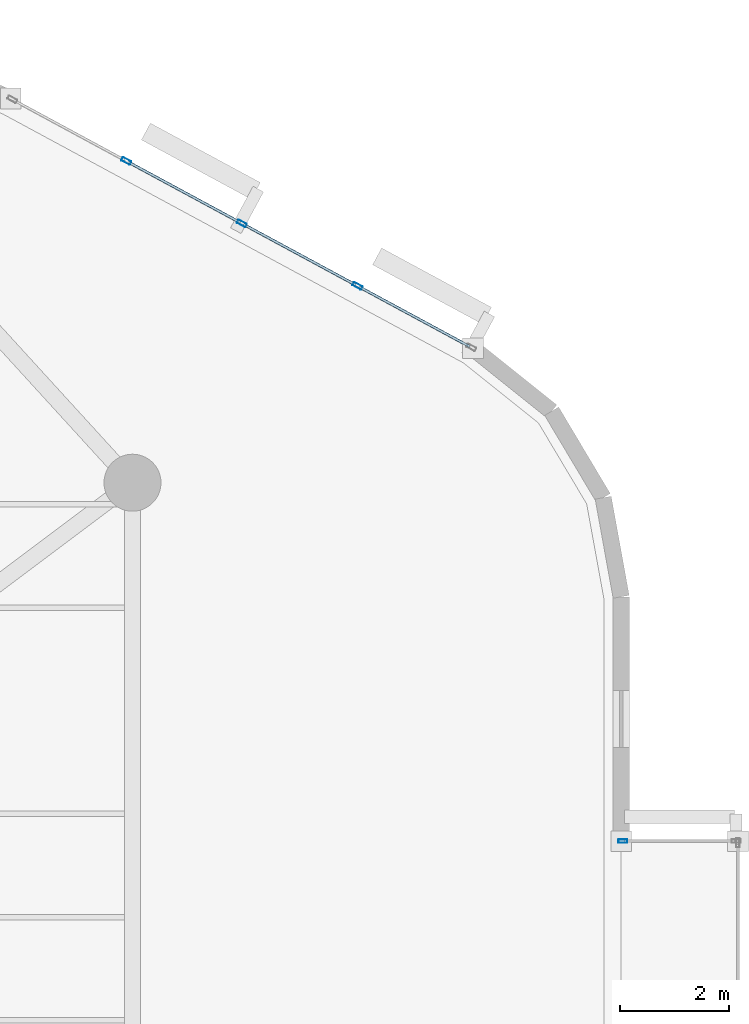
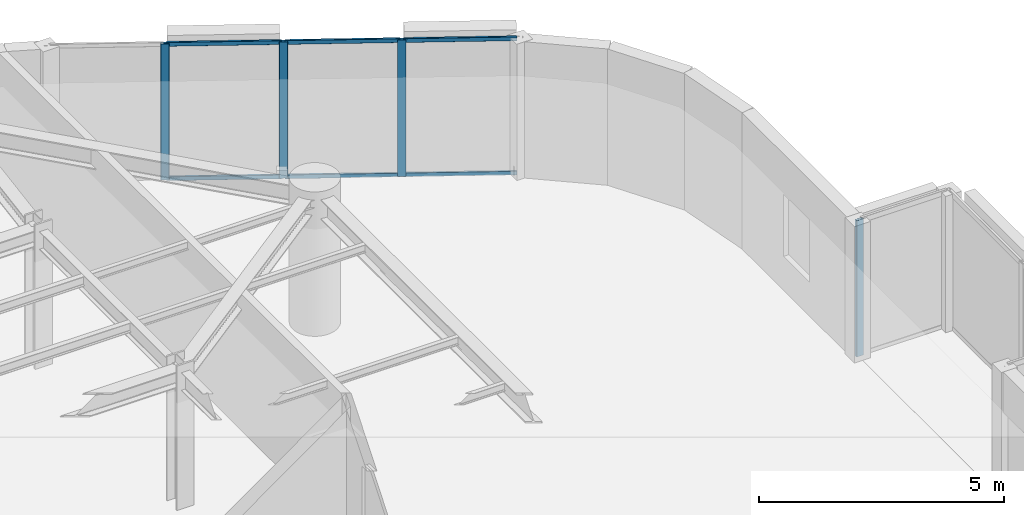
# One storey, part 6 of 14: 10 members, 2 elements without a shape of their own.
"""IFC4 building model written with IfcOpenShell, lengths in metres."""

from ifc_helpers import new_model, si_unit, direction, frame, origin, origin_2d, place, context, subcontext, project, spatial, hollow_rectangle, extrude, material, layer, layer_set, material_profile, profile_set, type_object, element, aggregate, save


model = new_model("IFC4")

# Units and contexts
model_context = context("Model", 3, precision=1e-05, world=origin(), true_north=direction((0.0, 1.0)))
body_context = subcontext(model_context, "Body", "Model", "MODEL_VIEW")
ifc_project = project(units=[si_unit("LENGTHUNIT", "METRE"), si_unit("AREAUNIT", "SQUARE_METRE"), si_unit("VOLUMEUNIT", "CUBIC_METRE"), si_unit("PLANEANGLEUNIT", "RADIAN"), si_unit("MASSUNIT", "GRAM", prefix="KILO")], contexts=[model_context])

# Site, building, storey
site_placement = place(None, origin())
site = spatial("IfcSite", under=ifc_project, at=site_placement, CompositionType="ELEMENT")
building_placement = place(site_placement, origin())
building = spatial("IfcBuilding", under=site, at=building_placement, Name="An Khanh Terracotta Commons", CompositionType="ELEMENT")
storey_placement = place(building_placement, frame((0.0, 0.0, 240.89990234375)))
storey = spatial("IfcBuildingStorey", under=building, at=storey_placement, Name="L63", CompositionType="ELEMENT", Elevation=240.89990234375)

# Curtain wall, member
ifc_material = material(Name="Anodised Aluminium 6063-T6", Category="aluminium")
ifc_layer_1 = layer(ifc_material, 0.239990234375, Name="Anodised Aluminium 6063-T6")
ifc_layer_set_1 = layer_set([ifc_layer_1], Name="Anodised Aluminium 6063-T6")
curtain_wall_type_1 = type_object("IfcCurtainWallType", Name="CW-SYS-04", PredefinedType="USERDEFINED", material=ifc_layer_set_1)
curtain_wall_1_placement = place(storey_placement, origin())
curtain_wall_1 = element("IfcCurtainWall", 1, at=curtain_wall_1_placement, inside=storey, type_object=curtain_wall_type_1, Name="L63 CW-04 Unitised Curtain Wall CW-L63-EBOX-3", ObjectType="UNITISED CURTAIN WALL", PredefinedType="USERDEFINED")
ifc_material_profile_1 = material_profile(ifc_material, hollow_rectangle(XDim=0.06494140625, YDim=0.1650390625, WallThickness=0.00390625, InnerFilletRadius=0.00390625, OuterFilletRadius=0.008056640625, at=origin_2d()), Name="RHS165x65x4")
ifc_profile_set_1 = profile_set([ifc_material_profile_1], Name="Anodised Aluminium 6063-T6")
member_type_1 = type_object("IfcMemberType", Name="CWM-RHS165x65x4", PredefinedType="MULLION", material=ifc_profile_set_1)
member_1_placement = place(storey_placement, frame((68.632568359375, 25.39990234375, 0.0), z_axis=(0.0, 0.0, 1.0), x_axis=(0.0, -1.0, 0.0)))
member_1 = element("IfcMember", 2, at=member_1_placement, type_object=member_type_1, Name="CW-04 mullion 2", PredefinedType="MULLION", context=body_context, shape_type="SweptSolid", body=[
    extrude(hollow_rectangle(XDim=0.06494140625, YDim=0.1650390625, WallThickness=0.00390625, InnerFilletRadius=0.00390625, OuterFilletRadius=0.008056640625, at=origin_2d()), origin(), (0.0, 0.0, 1.0), 3.400146484375),
])
aggregate(curtain_wall_1, [member_1])

# Curtain wall, members
ifc_layer_2 = layer(ifc_material, 0.2099609375, Name="Anodised Aluminium 6063-T6")
ifc_layer_set_2 = layer_set([ifc_layer_2], Name="Anodised Aluminium 6063-T6")
curtain_wall_type_2 = type_object("IfcCurtainWallType", Name="CW-SYS-03", PredefinedType="USERDEFINED", material=ifc_layer_set_2)
curtain_wall_2_placement = place(storey_placement, origin())
curtain_wall_2 = element("IfcCurtainWall", 3, at=curtain_wall_2_placement, inside=storey, type_object=curtain_wall_type_2, Name="L63 CW-03 Unitised Curtain Wall CW-L63-16", ObjectType="UNITISED CURTAIN WALL", PredefinedType="USERDEFINED")
ifc_material_profile_2 = material_profile(ifc_material, hollow_rectangle(XDim=0.070068359375, YDim=0.179931640625, WallThickness=0.00390625, InnerFilletRadius=0.00390625, OuterFilletRadius=0.008056640625, at=origin_2d()), Name="RHS180x70x4")
ifc_profile_set_2 = profile_set([ifc_material_profile_2], Name="Anodised Aluminium 6063-T6")
member_type_2 = type_object("IfcMemberType", Name="CWM-RHS180x70x4", PredefinedType="MULLION", material=ifc_profile_set_2)
member_2_placement = place(storey_placement, frame((63.7431640625, 35.624267578125, 0.0), z_axis=(0.0, 0.0, 1.0), x_axis=(-0.47538088298, -0.879780095306, 0.0)))
member_2 = element("IfcMember", 4, at=member_2_placement, type_object=member_type_2, Name="CW-03 mullion 2", PredefinedType="MULLION", context=body_context, shape_type="SweptSolid", body=[
    extrude(hollow_rectangle(XDim=0.070068359375, YDim=0.179931640625, WallThickness=0.00390625, InnerFilletRadius=0.00390625, OuterFilletRadius=0.008056640625, at=origin_2d()), origin(), (0.0, 0.0, 1.0), 3.400146484375),
])
member_3_placement = place(storey_placement, frame((61.614501953125, 36.7744140625, 0.0), z_axis=(0.0, 0.0, 1.0), x_axis=(-0.47538088298, -0.879780095306, 0.0)))
member_3 = element("IfcMember", 5, at=member_3_placement, type_object=member_type_2, Name="CW-03 mullion 3", PredefinedType="MULLION", context=body_context, shape_type="SweptSolid", body=[
    extrude(hollow_rectangle(XDim=0.070068359375, YDim=0.179931640625, WallThickness=0.00390625, InnerFilletRadius=0.00390625, OuterFilletRadius=0.008056640625, at=origin_2d()), origin(), (0.0, 0.0, 1.0), 3.400146484375),
])
member_4_placement = place(storey_placement, frame((59.48583984375, 37.9248046875, 0.0), z_axis=(0.0, 0.0, 1.0), x_axis=(-0.47538088298, -0.879780095306, 0.0)))
member_4 = element("IfcMember", 6, at=member_4_placement, type_object=member_type_2, Name="CW-03 mullion 4", PredefinedType="MULLION", context=body_context, shape_type="SweptSolid", body=[
    extrude(hollow_rectangle(XDim=0.070068359375, YDim=0.179931640625, WallThickness=0.00390625, InnerFilletRadius=0.00390625, OuterFilletRadius=0.008056640625, at=origin_2d()), origin(), (0.0, 0.0, 1.0), 3.400146484375),
])
ifc_material_profile_3 = material_profile(ifc_material, hollow_rectangle(XDim=0.050048828125, YDim=0.10009765625, WallThickness=0.003173828125, InnerFilletRadius=0.003173828125, OuterFilletRadius=0.00634765625, at=origin_2d()), Name="RHS100x50x3.2")
ifc_profile_set_3 = profile_set([ifc_material_profile_3], Name="Anodised Aluminium 6063-T6")
member_type_3 = type_object("IfcMemberType", Name="CWT-RHS100x50x3.2", PredefinedType="USERDEFINED", material=ifc_profile_set_3)
member_5_placement = place(storey_placement, frame((65.810302734375, 34.50732421875, 0.025146484375), z_axis=(-0.879779245677, 0.475382455373, 0.0), x_axis=(-0.475382455373, -0.879779245677, 0.0)))
member_5 = element("IfcMember", 7, at=member_5_placement, type_object=member_type_3, Name="CW-03 transom 1.1", ObjectType="TRANSOM", PredefinedType="USERDEFINED", context=body_context, shape_type="SweptSolid", body=[
    extrude(hollow_rectangle(XDim=0.050048828125, YDim=0.10009765625, WallThickness=0.003173828125, InnerFilletRadius=0.003173828125, OuterFilletRadius=0.00634765625, at=origin_2d()), origin(), (0.0, 0.0, 1.0), 2.314697265625),
])
member_6_placement = place(storey_placement, frame((65.810302734375, 34.50732421875, 3.375), z_axis=(-0.879779245677, 0.475382455373, 0.0), x_axis=(-0.475382455373, -0.879779245677, 0.0)))
member_6 = element("IfcMember", 8, at=member_6_placement, type_object=member_type_3, Name="CW-03 transom 1.2", ObjectType="TRANSOM", PredefinedType="USERDEFINED", context=body_context, shape_type="SweptSolid", body=[
    extrude(hollow_rectangle(XDim=0.050048828125, YDim=0.10009765625, WallThickness=0.003173828125, InnerFilletRadius=0.003173828125, OuterFilletRadius=0.00634765625, at=origin_2d()), origin(), (0.0, 0.0, 1.0), 2.314697265625),
])
member_7_placement = place(storey_placement, frame((63.71240234375, 35.640869140625, 0.025146484375), z_axis=(-0.879782861449, 0.475375763686, 0.0), x_axis=(-0.475375763686, -0.879782861449, 0.0)))
member_7 = element("IfcMember", 9, at=member_7_placement, type_object=member_type_3, Name="CW-03 transom 2.1", ObjectType="TRANSOM", PredefinedType="USERDEFINED", context=body_context, shape_type="SweptSolid", body=[
    extrude(hollow_rectangle(XDim=0.050048828125, YDim=0.10009765625, WallThickness=0.003173828125, InnerFilletRadius=0.003173828125, OuterFilletRadius=0.00634765625, at=origin_2d()), origin(), (0.0, 0.0, 1.0), 2.349609375),
])
member_8_placement = place(storey_placement, frame((63.71240234375, 35.640869140625, 3.375), z_axis=(-0.879782861449, 0.475375763686, 0.0), x_axis=(-0.475375763686, -0.879782861449, 0.0)))
member_8 = element("IfcMember", 10, at=member_8_placement, type_object=member_type_3, Name="CW-03 transom 2.2", ObjectType="TRANSOM", PredefinedType="USERDEFINED", context=body_context, shape_type="SweptSolid", body=[
    extrude(hollow_rectangle(XDim=0.050048828125, YDim=0.10009765625, WallThickness=0.003173828125, InnerFilletRadius=0.003173828125, OuterFilletRadius=0.00634765625, at=origin_2d()), origin(), (0.0, 0.0, 1.0), 2.349609375),
])
member_9_placement = place(storey_placement, frame((61.583740234375, 36.791259765625, 0.025146484375), z_axis=(-0.879782861449, 0.475375763686, 0.0), x_axis=(-0.475375763686, -0.879782861449, 0.0)))
member_9 = element("IfcMember", 11, at=member_9_placement, type_object=member_type_3, Name="CW-03 transom 3.1", ObjectType="TRANSOM", PredefinedType="USERDEFINED", context=body_context, shape_type="SweptSolid", body=[
    extrude(hollow_rectangle(XDim=0.050048828125, YDim=0.10009765625, WallThickness=0.003173828125, InnerFilletRadius=0.003173828125, OuterFilletRadius=0.00634765625, at=origin_2d()), origin(), (0.0, 0.0, 1.0), 2.349609375),
])
member_10_placement = place(storey_placement, frame((61.583740234375, 36.791259765625, 3.375), z_axis=(-0.879782861449, 0.475375763686, 0.0), x_axis=(-0.475375763686, -0.879782861449, 0.0)))
member_10 = element("IfcMember", 12, at=member_10_placement, type_object=member_type_3, Name="CW-03 transom 3.2", ObjectType="TRANSOM", PredefinedType="USERDEFINED", context=body_context, shape_type="SweptSolid", body=[
    extrude(hollow_rectangle(XDim=0.050048828125, YDim=0.10009765625, WallThickness=0.003173828125, InnerFilletRadius=0.003173828125, OuterFilletRadius=0.00634765625, at=origin_2d()), origin(), (0.0, 0.0, 1.0), 2.349609375),
])
aggregate(curtain_wall_2, [member_2, member_3, member_4, member_5, member_6, member_7, member_8, member_9, member_10])

save(model, "model.ifc")
